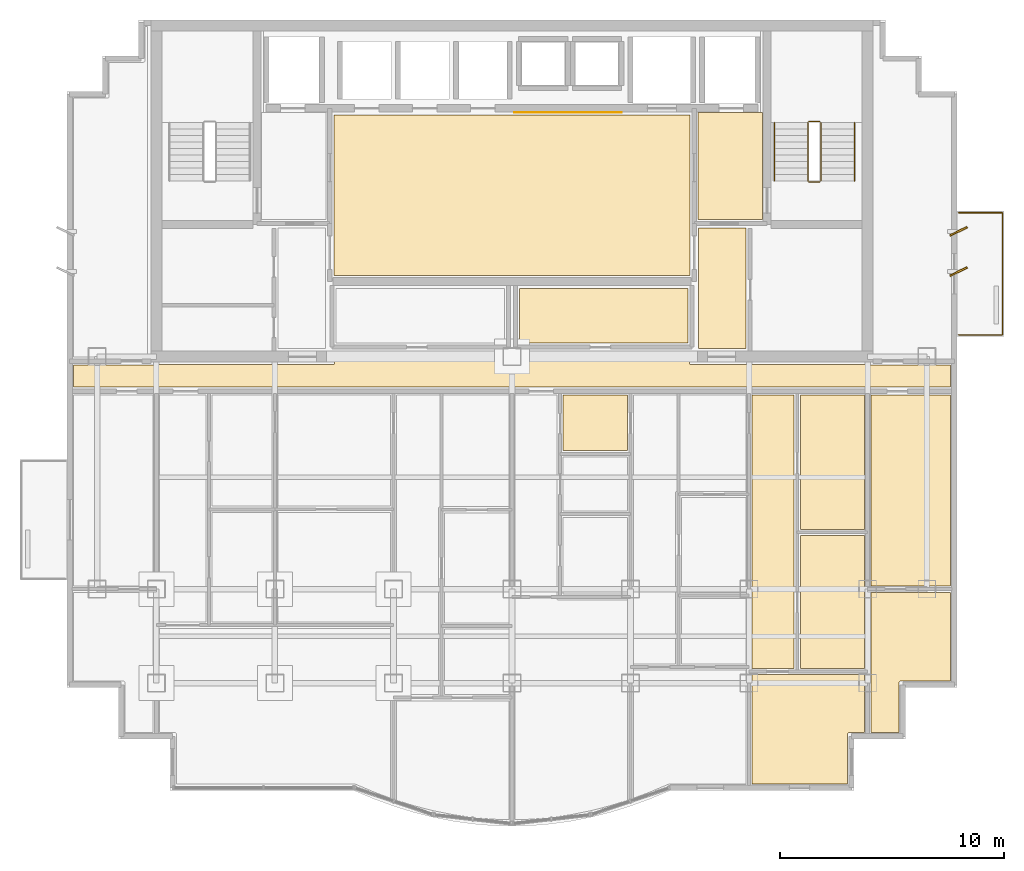
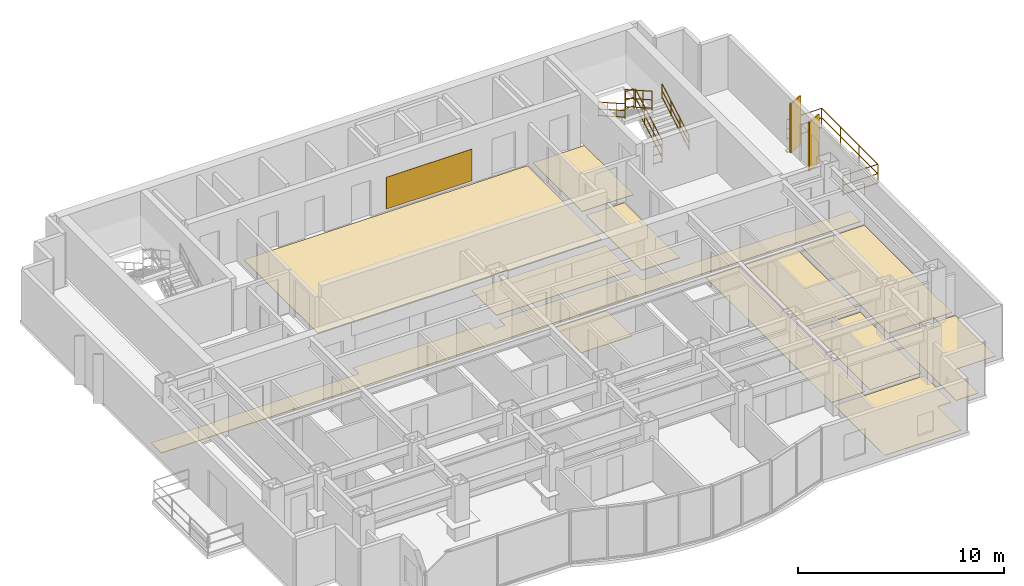
# One storey, part 9 of 9: 13 coverings, 7 railings, 2 shading devices.
"""IFC4 building model written with IfcOpenShell, lengths in metres."""

import ifcopenshell
import ifcopenshell.guid

model = None  # the IFC model being written
_history = None  # IfcOwnerHistory: only IFC2X3 demands one
_inside = {}  # id of a spatial element -> (the spatial element, [elements in it])
_under = {}  # id of a project, library or spatial element -> (it, [spatial elements below it])
_declared = {}  # id of a project -> (the project, [libraries it declares])
_typed = {}  # id of a type object -> (the type object, [elements of that type])
_made_of = {}  # id of a material, layer set ... -> (it, [elements and type objects made of it])


def new_model(schema):
    """Start an empty IFC model of exactly this schema.

    Asked for "IFC4X3", IfcOpenShell would pick the latest addendum, in which some entities
    have other attributes; the version numbers below select the first issue.
    IFC2X3 requires an IfcOwnerHistory on every rooted entity: one is made here for all.
    """
    global model, _history
    if schema == "IFC4X3":
        model = ifcopenshell.file(schema_version=(4, 3, 0, 0))
    else:
        model = ifcopenshell.file(schema=schema)
    _inside.clear()
    _under.clear()
    _declared.clear()
    _typed.clear()
    _made_of.clear()
    _history = None
    if model.schema == "IFC2X3":
        org = make("IfcOrganization", Name="unknown")
        user = make(
            "IfcPersonAndOrganization",
            ThePerson=make("IfcPerson", FamilyName="unknown"),
            TheOrganization=org,
        )
        app = make(
            "IfcApplication",
            ApplicationDeveloper=org,
            Version="unknown",
            ApplicationFullName="unknown",
            ApplicationIdentifier="unknown",
        )
        _history = make(
            "IfcOwnerHistory",
            OwningUser=user,
            OwningApplication=app,
            ChangeAction="ADDED",
            CreationDate=0,
        )
    return model


def make(cls, **values):
    """One entity of the class cls with the attributes given. An attribute that is None is left unset."""
    return model.create_entity(
        cls, **{name: value for name, value in values.items() if value is not None}
    )


def rooted(cls, **values):
    """An entity with a GlobalId (a new one), such as an element, a storey or a relation."""
    return make(cls, GlobalId=ifcopenshell.guid.new(), OwnerHistory=_history, **values)


def si_unit(unit_type, name, prefix=None):
    """IfcSIUnit, for example si_unit("LENGTHUNIT", "METRE", prefix="MILLI")."""
    return make("IfcSIUnit", UnitType=unit_type, Prefix=prefix, Name=name)


def assignment(units):
    """IfcUnitAssignment: the units of a project."""
    return None if units is None else make("IfcUnitAssignment", Units=units)


def point(xyz):
    """IfcCartesianPoint."""
    return None if xyz is None else make("IfcCartesianPoint", Coordinates=xyz)


def direction(xyz):
    """IfcDirection."""
    return None if xyz is None else make("IfcDirection", DirectionRatios=xyz)


def frame(location, z_axis=None, x_axis=None):
    """IfcAxis2Placement3D, a coordinate frame: its origin and axes. An axis left out is left unset."""
    return make(
        "IfcAxis2Placement3D",
        Location=point(location),
        Axis=direction(z_axis),
        RefDirection=direction(x_axis),
    )


def frame_2d(location, x_axis=None):
    """IfcAxis2Placement2D, a coordinate frame in the plane: its origin and x axis."""
    return make(
        "IfcAxis2Placement2D", Location=point(location), RefDirection=direction(x_axis)
    )


def origin():
    """The frame at (0, 0, 0) with its axes left unset."""
    return frame((0.0, 0.0, 0.0))


def origin_2d():
    """The frame at (0, 0) in the plane with its x axis left unset."""
    return frame_2d((0.0, 0.0))


def place(relative_to, where):
    """IfcLocalPlacement: puts the frame where relative to a parent placement (None: the world)."""
    return make(
        "IfcLocalPlacement", PlacementRelTo=relative_to, RelativePlacement=where
    )


def context(
    kind, dimensions, precision=None, world=None, true_north=None, identifier=None
):
    """IfcGeometricRepresentationContext, for example the 3D "Model" context."""
    return make(
        "IfcGeometricRepresentationContext",
        ContextIdentifier=identifier,
        ContextType=kind,
        CoordinateSpaceDimension=dimensions,
        Precision=precision,
        WorldCoordinateSystem=world,
        TrueNorth=true_north,
    )


def subcontext(parent, identifier, kind, view, scale=None):
    """IfcGeometricRepresentationSubContext, for example "Body" below "Model"."""
    return make(
        "IfcGeometricRepresentationSubContext",
        ContextIdentifier=identifier,
        ContextType=kind,
        ParentContext=parent,
        TargetScale=scale,
        TargetView=view,
    )


def project(units=None, contexts=None):
    """IfcProject with its units and contexts."""
    return rooted(
        "IfcProject",
        Name="project",
        RepresentationContexts=contexts,
        UnitsInContext=assignment(units),
    )


def spatial(cls, under=None, at=None, **own):
    """A site, building, storey or space (cls), placed at a placement, below another one or the project."""
    s = rooted(cls, ObjectPlacement=at, **own)
    if under is not None:
        _under.setdefault(under.id(), (under, []))[1].append(s)
    return s


def polyline(points):
    """IfcPolyline through the points."""
    return make("IfcPolyline", Points=[point(p) for p in points])


def profile(cls, at=None, kind="AREA", **sizes):
    """A parametric profile (cls). Its sizes go by their IFC names, for example OverallWidth=200.0."""
    return make(cls, ProfileType=kind, Position=at, **sizes)


def rectangle(**sizes):
    """IfcRectangleProfileDef."""
    return profile("IfcRectangleProfileDef", **sizes)


def circle(**sizes):
    """IfcCircleProfileDef."""
    return profile("IfcCircleProfileDef", **sizes)


def outline(outer, holes=None, kind="AREA"):
    """IfcArbitraryClosedProfileDef: a profile drawn as a closed curve; with holes, ...WithVoids."""
    if holes is None:
        return make("IfcArbitraryClosedProfileDef", ProfileType=kind, OuterCurve=outer)
    return make(
        "IfcArbitraryProfileDefWithVoids",
        ProfileType=kind,
        OuterCurve=outer,
        InnerCurves=holes,
    )


def extrude(swept, where, along, depth):
    """IfcExtrudedAreaSolid: the profile swept, set in the frame where, extruded along a direction by depth."""
    return make(
        "IfcExtrudedAreaSolid",
        SweptArea=swept,
        Position=where,
        ExtrudedDirection=direction(along),
        Depth=depth,
    )


def shape(context_of_items, identifier, shape_type, items):
    """IfcShapeRepresentation: the items that make up one representation, for example the "Body"."""
    return make(
        "IfcShapeRepresentation",
        ContextOfItems=context_of_items,
        RepresentationIdentifier=identifier,
        RepresentationType=shape_type,
        Items=items,
    )


def source(mapping_origin, context_of_items, identifier, shape_type, items):
    """IfcRepresentationMap: a shape defined once, which mapped items show again and again."""
    return make(
        "IfcRepresentationMap",
        MappingOrigin=mapping_origin,
        MappedRepresentation=shape(context_of_items, identifier, shape_type, items),
    )


def transform(
    local_origin,
    x_axis=None,
    y_axis=None,
    z_axis=None,
    scale=None,
    scale2=None,
    scale3=None,
    uniform=True,
):
    """IfcCartesianTransformationOperator3D, or its non-uniform kind. x_axis, y_axis, z_axis: its Axis1, 2, 3."""
    if uniform:
        return make(
            "IfcCartesianTransformationOperator3D",
            Axis1=direction(x_axis),
            Axis2=direction(y_axis),
            LocalOrigin=point(local_origin),
            Scale=scale,
            Axis3=direction(z_axis),
        )
    return make(
        "IfcCartesianTransformationOperator3DnonUniform",
        Axis1=direction(x_axis),
        Axis2=direction(y_axis),
        LocalOrigin=point(local_origin),
        Scale=scale,
        Axis3=direction(z_axis),
        Scale2=scale2,
        Scale3=scale3,
    )


def mapped(mapping_source, mapping_target):
    """IfcMappedItem: shows the shape of a source again, moved by a transform."""
    return make(
        "IfcMappedItem", MappingSource=mapping_source, MappingTarget=mapping_target
    )


def material(Name=None, Category=None):
    """IfcMaterial."""
    return make("IfcMaterial", Name=Name, Category=Category)


def layer(
    of_material, thickness, ventilated=None, Name=None, Category=None, Priority=None
):
    """IfcMaterialLayer: one layer of a wall or slab, of a material (None: an air gap)."""
    return make(
        "IfcMaterialLayer",
        Material=of_material,
        LayerThickness=thickness,
        IsVentilated=ventilated,
        Name=Name,
        Category=Category,
        Priority=Priority,
    )


def layer_set(layers, Name=None):
    """IfcMaterialLayerSet."""
    return make("IfcMaterialLayerSet", MaterialLayers=layers, LayerSetName=Name)


def made_of(thing, what):
    """Note that an element or type object is made of a material, layer set ...; save() writes the relation."""
    if what is not None:
        _made_of.setdefault(what.id(), (what, []))[1].append(thing)
    return thing


def type_object(cls, material=None, **own):
    """A type object (cls), such as IfcWallType, which elements share."""
    return made_of(rooted(cls, **own), material)


def element(
    cls,
    number,
    at=None,
    inside=None,
    cuts=None,
    type_object=None,
    material=None,
    context=None,
    identifier="Body",
    shape_type=None,
    held_by="IfcProductDefinitionShape",
    body=None,
    shapes=None,
    **own,
):
    """One element of the class cls, such as IfcWall. Its Tag is "e" and its number.

    at: its placement. inside: the storey or other place that contains it. cuts: it is an
    opening in that element (IfcRelVoidsElement). A single representation is given by context,
    identifier, shape_type and body (its items); several are given by shapes. held_by: the class
    of the entity that holds the representations. save() writes the other relations.
    """
    e = rooted(cls, Tag="e%d" % number, ObjectPlacement=at, **own)
    if body is not None:
        shapes = [shape(context, identifier, shape_type, body)]
    if shapes is not None:
        e.Representation = make(held_by, Representations=shapes)
    if inside is not None:
        _inside.setdefault(inside.id(), (inside, []))[1].append(e)
    if cuts is not None:
        rooted(
            "IfcRelVoidsElement", RelatingBuildingElement=cuts, RelatedOpeningElement=e
        )
    if type_object is not None:
        _typed.setdefault(type_object.id(), (type_object, []))[1].append(e)
    return made_of(e, material)


def aggregate(whole, parts):
    """IfcRelAggregates: a whole, such as a stair, and the parts it consists of."""
    return rooted("IfcRelAggregates", RelatingObject=whole, RelatedObjects=parts)


def save(model, path):
    """Write the relations noted so far, then the file.

    IfcRelAggregates (storeys below a building ...), IfcRelContainedInSpatialStructure (elements
    in a storey), IfcRelDefinesByType, IfcRelAssociatesMaterial and IfcRelDeclares: one each for
    every whole, place, type object, material and project.
    """
    for whole, parts in _under.values():
        aggregate(whole, parts)
    for where, things in _inside.values():
        rooted(
            "IfcRelContainedInSpatialStructure",
            RelatedElements=things,
            RelatingStructure=where,
        )
    for kind, things in _typed.values():
        rooted("IfcRelDefinesByType", RelatedObjects=things, RelatingType=kind)
    for what, things in _made_of.values():
        rooted("IfcRelAssociatesMaterial", RelatedObjects=things, RelatingMaterial=what)
    for by, libraries in _declared.values():
        rooted("IfcRelDeclares", RelatingContext=by, RelatedDefinitions=libraries)
    model.write(path)


model = new_model("IFC4")

# Units and contexts
model_context = context("Model", 3, precision=1e-05, world=origin(), true_north=direction((0.0, 1.0)))
body_context = subcontext(model_context, "Body", "Model", "MODEL_VIEW")
ifc_project = project(units=[si_unit("LENGTHUNIT", "METRE"), si_unit("AREAUNIT", "SQUARE_METRE"), si_unit("VOLUMEUNIT", "CUBIC_METRE"), si_unit("PLANEANGLEUNIT", "RADIAN"), si_unit("MASSUNIT", "GRAM", prefix="KILO")], contexts=[model_context])

# Site, building, storey
site_placement = place(None, origin())
site = spatial("IfcSite", under=ifc_project, at=site_placement, CompositionType="ELEMENT")
building_placement = place(site_placement, origin())
building = spatial("IfcBuilding", under=site, at=building_placement, Name="Qianlan Lanfeng Residences", CompositionType="ELEMENT")
storey_placement = place(building_placement, frame((0.0, 0.0, 213.199951171875)))
storey = spatial("IfcBuildingStorey", under=building, at=storey_placement, Name="L58", CompositionType="ELEMENT", Elevation=213.199951171875)

# Coverings
ifc_material_1 = material(Name="Anodised Bronze Feature Wall Cladding")
ifc_layer_1 = layer(ifc_material_1, 0.02490234375)
ifc_layer_set_1 = layer_set([ifc_layer_1], Name="Anodised Bronze Feature Wall Cladding")
covering_type_1 = type_object("IfcCoveringType", Name="CLD-BRZ-25", PredefinedType="CLADDING", material=ifc_layer_set_1)
covering_1_placement = place(storey_placement, frame((0.0, 0.0, 0.150146484375)))
element("IfcCovering", 1, at=covering_1_placement, inside=storey, type_object=covering_type_1, Name="L58 Lift Lobby Bronze Feature Cladding", PredefinedType="CLADDING", context=body_context, shape_type="SweptSolid", body=[
    extrude(outline(polyline([(26.60009765625, 36.10009765625), (31.39990234375, 36.10009765625), (31.39990234375, 36.125), (26.60009765625, 36.125), (26.60009765625, 36.10009765625)])), origin(), (0.0, 0.0, 1.0), 1.8798828125),
])
ifc_material_2 = material(Name="Honed Taitung Granite Stone Flooring", Category="masonry")
ifc_layer_2 = layer(ifc_material_2, 0.030029296875)
ifc_layer_set_2 = layer_set([ifc_layer_2], Name="Honed Taitung Granite Stone Flooring")
covering_type_2 = type_object("IfcCoveringType", Name="FLR-STN-30", PredefinedType="FLOORING", material=ifc_layer_set_2)
covering_2_placement = place(storey_placement, origin())
element("IfcCovering", 2, at=covering_2_placement, inside=storey, type_object=covering_type_2, Name="L58 Firefighting Lift Lobby Floor Finish", PredefinedType="FLOORING", context=body_context, shape_type="SweptSolid", body=[
    extrude(outline(polyline([(34.820068359375, 31.320068359375), (37.7099609375, 31.320068359375), (37.7099609375, 36.110107421875), (34.820068359375, 36.110107421875), (34.820068359375, 31.320068359375)])), origin(), (0.0, 0.0, 1.0), 0.030029296875),
])
covering_3_placement = place(storey_placement, origin())
element("IfcCovering", 3, at=covering_3_placement, inside=storey, type_object=covering_type_2, Name="L58 Lift Lobby Floor Finish", PredefinedType="FLOORING", context=body_context, shape_type="SweptSolid", body=[
    extrude(outline(polyline([(18.550048828125, 28.820068359375), (34.449951171875, 28.820068359375), (34.449951171875, 36.010009765625), (18.550048828125, 36.010009765625), (18.550048828125, 28.820068359375)])), origin(), (0.0, 0.0, 1.0), 0.030029296875),
])
covering_4_placement = place(storey_placement, origin())
element("IfcCovering", 4, at=covering_4_placement, inside=storey, type_object=covering_type_2, Name="L58 Residential Corridor Floor Finish", PredefinedType="FLOORING", context=body_context, shape_type="SweptSolid", body=[
    extrude(outline(polyline([(6.889892578125, 23.830078125), (46.110107421875, 23.830078125), (46.110107421875, 24.820068359375), (42.5400390625, 24.820068359375), (42.532958984375, 24.820068359375), (42.52587890625, 24.821044921875), (42.52001953125, 24.822998046875), (42.512939453125, 24.824951171875), (42.507080078125, 24.827880859375), (42.5009765625, 24.83203125), (42.49609375, 24.8359375), (42.490966796875, 24.841064453125), (42.486083984375, 24.845947265625), (42.48291015625, 24.85009765625), (34.5, 24.85009765625), (34.492919921875, 24.85009765625), (34.486083984375, 24.85107421875), (34.47998046875, 24.85302734375), (34.472900390625, 24.85498046875), (34.467041015625, 24.85791015625), (34.4609375, 24.862060546875), (34.4560546875, 24.865966796875), (34.450927734375, 24.87109375), (34.446044921875, 24.8759765625), (34.44189453125, 24.881103515625), (34.43798828125, 24.886962890625), (34.43505859375, 24.89306640625), (34.43310546875, 24.89990234375), (34.430908203125, 24.906005859375), (34.429931640625, 24.9130859375), (34.429931640625, 24.919921875), (34.429931640625, 25.429931640625), (26.77001953125, 25.429931640625), (26.77001953125, 24.919921875), (26.77001953125, 24.9130859375), (26.76904296875, 24.906005859375), (26.76708984375, 24.89990234375), (26.764892578125, 24.89306640625), (26.761962890625, 24.886962890625), (26.758056640625, 24.881103515625), (26.75390625, 24.8759765625), (26.7490234375, 24.87109375), (26.743896484375, 24.865966796875), (26.739013671875, 24.862060546875), (26.73291015625, 24.85791015625), (26.72705078125, 24.85498046875), (26.719970703125, 24.85302734375), (26.714111328125, 24.85107421875), (26.70703125, 24.85009765625), (26.699951171875, 24.85009765625), (26.300048828125, 24.85009765625), (26.29296875, 24.85009765625), (26.285888671875, 24.85107421875), (26.280029296875, 24.85302734375), (26.27294921875, 24.85498046875), (26.26708984375, 24.85791015625), (26.260986328125, 24.862060546875), (26.256103515625, 24.865966796875), (26.2509765625, 24.87109375), (26.24609375, 24.8759765625), (26.241943359375, 24.881103515625), (26.238037109375, 24.886962890625), (26.235107421875, 24.89306640625), (26.23291015625, 24.89990234375), (26.23095703125, 24.906005859375), (26.22998046875, 24.9130859375), (26.22998046875, 24.919921875), (26.22998046875, 25.429931640625), (18.570068359375, 25.429931640625), (18.570068359375, 24.919921875), (18.570068359375, 24.9130859375), (18.569091796875, 24.906005859375), (18.56689453125, 24.89990234375), (18.56494140625, 24.89306640625), (18.56201171875, 24.886962890625), (18.55810546875, 24.881103515625), (18.553955078125, 24.8759765625), (18.549072265625, 24.87109375), (18.5439453125, 24.865966796875), (18.5390625, 24.862060546875), (18.532958984375, 24.85791015625), (18.527099609375, 24.85498046875), (18.52001953125, 24.85302734375), (18.513916015625, 24.85107421875), (18.507080078125, 24.85009765625), (18.5, 24.85009765625), (10.51708984375, 24.85009765625), (10.513916015625, 24.845947265625), (10.509033203125, 24.841064453125), (10.50390625, 24.8359375), (10.4990234375, 24.83203125), (10.492919921875, 24.827880859375), (10.487060546875, 24.824951171875), (10.47998046875, 24.822998046875), (10.47412109375, 24.821044921875), (10.467041015625, 24.820068359375), (10.4599609375, 24.820068359375), (6.889892578125, 24.820068359375), (6.889892578125, 23.830078125)])), origin(), (0.0, 0.0, 1.0), 0.030029296875),
])
covering_5_placement = place(storey_placement, origin())
element("IfcCovering", 5, at=covering_5_placement, inside=storey, type_object=covering_type_2, Name="L58 Lift Lobby Floor Finish", PredefinedType="FLOORING", context=body_context, shape_type="SweptSolid", body=[
    extrude(outline(polyline([(34.830078125, 25.56005859375), (36.969970703125, 25.56005859375), (36.969970703125, 30.949951171875), (34.830078125, 30.949951171875), (34.830078125, 25.56005859375)])), origin(), (0.0, 0.0, 1.0), 0.030029296875),
])
ifc_material_3 = material(Name="Slip-Resistant Porcelain Tile Flooring")
ifc_layer_3 = layer(ifc_material_3, 0.02001953125)
ifc_layer_set_3 = layer_set([ifc_layer_3], Name="Slip-Resistant Porcelain Tile Flooring")
covering_type_3 = type_object("IfcCoveringType", Name="FLR-TIL-20", PredefinedType="FLOORING", material=ifc_layer_set_3)
covering_6_placement = place(storey_placement, origin())
element("IfcCovering", 6, at=covering_6_placement, inside=storey, type_object=covering_type_3, Name="L58 Bathroom Floor Finish", PredefinedType="FLOORING", context=body_context, shape_type="SweptSolid", body=[
    extrude(outline(polyline([(28.7900390625, 20.989990234375), (31.659912109375, 20.989990234375), (31.659912109375, 23.47998046875), (28.7900390625, 23.47998046875), (28.7900390625, 20.989990234375)])), origin(), (0.0, 0.0, 1.0), 0.02001953125),
])
ifc_material_4 = material(Name="Engineered Smoked Oak Timber Flooring", Category="wood")
ifc_layer_4 = layer(ifc_material_4, 0.02197265625)
ifc_layer_set_4 = layer_set([ifc_layer_4], Name="Engineered Smoked Oak Timber Flooring")
covering_type_4 = type_object("IfcCoveringType", Name="FLR-TIM-22", PredefinedType="FLOORING", material=ifc_layer_set_4)
covering_7_placement = place(storey_placement, origin())
element("IfcCovering", 7, at=covering_7_placement, inside=storey, type_object=covering_type_4, Name="L58 Tea Room Floor Finish", PredefinedType="FLOORING", context=body_context, shape_type="SweptSolid", body=[
    extrude(outline(polyline([(26.830078125, 25.800048828125), (34.3701171875, 25.800048828125), (34.3701171875, 28.2548828125), (26.830078125, 28.2548828125), (26.830078125, 25.800048828125)])), origin(), (0.0, 0.0, 1.0), 0.02197265625),
])
covering_8_placement = place(storey_placement, origin())
element("IfcCovering", 8, at=covering_8_placement, inside=storey, type_object=covering_type_4, Name="L58 Bedroom Floor Finish", PredefinedType="FLOORING", context=body_context, shape_type="SweptSolid", body=[
    extrude(outline(polyline([(37.22998046875, 10.97998046875), (37.22998046875, 6.090087890625), (41.510009765625, 6.090087890625), (41.510009765625, 8.320068359375), (41.510009765625, 8.326904296875), (41.510986328125, 8.333984375), (41.512939453125, 8.340087890625), (41.514892578125, 8.346923828125), (41.51806640625, 8.35302734375), (41.52197265625, 8.35888671875), (41.52587890625, 8.364013671875), (41.531005859375, 8.368896484375), (41.535888671875, 8.3740234375), (41.541015625, 8.3779296875), (41.547119140625, 8.382080078125), (41.552978515625, 8.385009765625), (41.56005859375, 8.386962890625), (41.56591796875, 8.388916015625), (41.572998046875, 8.389892578125), (41.580078125, 8.389892578125), (42.27001953125, 8.389892578125), (42.27001953125, 10.97998046875), (37.22998046875, 10.97998046875)])), origin(), (0.0, 0.0, 1.0), 0.02197265625),
])
covering_9_placement = place(storey_placement, origin())
element("IfcCovering", 9, at=covering_9_placement, inside=storey, type_object=covering_type_4, Name="L58 Private Study Floor Finish", PredefinedType="FLOORING", context=body_context, shape_type="SweptSolid", body=[
    extrude(outline(polyline([(39.389892578125, 11.260009765625), (42.27001953125, 11.260009765625), (42.27001953125, 17.195068359375), (39.389892578125, 17.195068359375), (39.389892578125, 11.260009765625)])), origin(), (0.0, 0.0, 1.0), 0.02197265625),
])
covering_10_placement = place(storey_placement, origin())
element("IfcCovering", 10, at=covering_10_placement, inside=storey, type_object=covering_type_4, Name="L58 Yoga Studio Floor Finish", PredefinedType="FLOORING", context=body_context, shape_type="SweptSolid", body=[
    extrude(outline(polyline([(39.389892578125, 17.47509765625), (42.27001953125, 17.47509765625), (42.27001953125, 23.47998046875), (39.389892578125, 23.47998046875), (39.389892578125, 17.47509765625)])), origin(), (0.0, 0.0, 1.0), 0.02197265625),
])
covering_11_placement = place(storey_placement, origin())
element("IfcCovering", 11, at=covering_11_placement, inside=storey, type_object=covering_type_4, Name="L58 Home Office Floor Finish", PredefinedType="FLOORING", context=body_context, shape_type="SweptSolid", body=[
    extrude(outline(polyline([(37.22998046875, 11.260009765625), (39.110107421875, 11.260009765625), (39.110107421875, 23.47998046875), (37.22998046875, 23.47998046875), (37.22998046875, 11.260009765625)])), origin(), (0.0, 0.0, 1.0), 0.02197265625),
])
covering_12_placement = place(storey_placement, origin())
element("IfcCovering", 12, at=covering_12_placement, inside=storey, type_object=covering_type_4, Name="L58 Sunroom Floor Finish", PredefinedType="FLOORING", context=body_context, shape_type="SweptSolid", body=[
    extrude(outline(polyline([(46.110107421875, 14.64990234375), (42.56005859375, 14.64990234375), (42.56005859375, 8.389892578125), (43.81005859375, 8.389892578125), (43.81005859375, 10.6201171875), (43.81005859375, 10.626953125), (43.81103515625, 10.634033203125), (43.81298828125, 10.639892578125), (43.81494140625, 10.64697265625), (43.818115234375, 10.653076171875), (43.822021484375, 10.658935546875), (43.825927734375, 10.6640625), (43.8310546875, 10.6689453125), (43.8359375, 10.674072265625), (43.841064453125, 10.677978515625), (43.846923828125, 10.681884765625), (43.85302734375, 10.68505859375), (43.860107421875, 10.68701171875), (43.865966796875, 10.68896484375), (43.873046875, 10.68994140625), (43.8798828125, 10.68994140625), (46.110107421875, 10.68994140625), (46.110107421875, 14.64990234375)])), origin(), (0.0, 0.0, 1.0), 0.02197265625),
])
covering_13_placement = place(storey_placement, origin())
element("IfcCovering", 13, at=covering_13_placement, inside=storey, type_object=covering_type_4, Name="L58 Private Study Floor Finish", PredefinedType="FLOORING", context=body_context, shape_type="SweptSolid", body=[
    extrude(outline(polyline([(46.110107421875, 23.47998046875), (42.56005859375, 23.47998046875), (42.56005859375, 14.949951171875), (46.110107421875, 14.949951171875), (46.110107421875, 23.47998046875)])), origin(), (0.0, 0.0, 1.0), 0.02197265625),
])

# Railings
ifc_material_5 = material(Name="Anodised Bronze Aluminium and Laminated Glass Guard Balustrade", Category="aluminium")
railing_type_1 = type_object("IfcRailingType", Name="GR-EXT-1220", PredefinedType="BALUSTRADE", material=ifc_material_5)
railing_1_placement = place(storey_placement, frame((46.469970703125, 31.6298828125, 0.0)))
element("IfcRailing", 14, at=railing_1_placement, inside=storey, type_object=railing_type_1, Name="L58 Terrace Safety Guard GR-L58-EB-N", PredefinedType="BALUSTRADE", context=body_context, shape_type="SweptSolid", body=[
    extrude(circle(Radius=0.02490234375, at=origin_2d()), frame((0.0, 0.0, 0.0849609375), z_axis=(1.0, 0.0, 0.0), x_axis=(0.0, 1.0, 0.0)), (0.0, 0.0, 1.0), 1.9599609375),
    extrude(circle(Radius=0.02490234375, at=origin_2d()), frame((0.0, 0.0, 0.63427734375), z_axis=(1.0, 0.0, 0.0), x_axis=(0.0, 1.0, 0.0)), (0.0, 0.0, 1.0), 1.9599609375),
    extrude(circle(Radius=0.02490234375, at=origin_2d()), frame((0.0, 0.0, 1.19482421875), z_axis=(1.0, 0.0, 0.0), x_axis=(0.0, 1.0, 0.0)), (0.0, 0.0, 1.0), 1.9599609375),
    extrude(circle(Radius=0.02490234375, at=origin_2d()), frame((1.9599609375, 0.0, 0.0849609375), z_axis=(0.0, -1.0, 0.0), x_axis=(1.0, 0.0, 0.0)), (0.0, 0.0, 1.0), 5.4599609375),
    extrude(circle(Radius=0.02490234375, at=origin_2d()), frame((1.9599609375, 0.0, 0.63427734375), z_axis=(0.0, -1.0, 0.0), x_axis=(1.0, 0.0, 0.0)), (0.0, 0.0, 1.0), 5.4599609375),
    extrude(circle(Radius=0.02490234375, at=origin_2d()), frame((1.9599609375, 0.0, 1.19482421875), z_axis=(0.0, -1.0, 0.0), x_axis=(1.0, 0.0, 0.0)), (0.0, 0.0, 1.0), 5.4599609375),
    extrude(circle(Radius=0.02490234375, at=origin_2d()), frame((1.9599609375, -5.4599609375, 0.0849609375), z_axis=(-1.0, 0.0, 0.0), x_axis=(0.0, -1.0, 0.0)), (0.0, 0.0, 1.0), 1.9599609375),
    extrude(circle(Radius=0.02490234375, at=origin_2d()), frame((1.9599609375, -5.4599609375, 0.63427734375), z_axis=(-1.0, 0.0, 0.0), x_axis=(0.0, -1.0, 0.0)), (0.0, 0.0, 1.0), 1.9599609375),
    extrude(circle(Radius=0.02490234375, at=origin_2d()), frame((1.9599609375, -5.4599609375, 1.19482421875), z_axis=(-1.0, 0.0, 0.0), x_axis=(0.0, -1.0, 0.0)), (0.0, 0.0, 1.0), 1.9599609375),
    extrude(circle(Radius=0.02099609375, at=origin_2d()), origin(), (0.0, 0.0, 1.0), 1.169921875),
    extrude(circle(Radius=0.02099609375, at=origin_2d()), frame((1.9599609375, 0.0, 0.0)), (0.0, 0.0, 1.0), 1.169921875),
    extrude(circle(Radius=0.02099609375, at=origin_2d()), frame((1.9599609375, -1.820068359375, 0.0)), (0.0, 0.0, 1.0), 1.169921875),
    extrude(circle(Radius=0.02099609375, at=origin_2d()), frame((1.9599609375, -3.639892578125, 0.0)), (0.0, 0.0, 1.0), 1.169921875),
    extrude(circle(Radius=0.02099609375, at=origin_2d()), frame((1.9599609375, -5.4599609375, 0.0)), (0.0, 0.0, 1.0), 1.169921875),
    extrude(circle(Radius=0.02099609375, at=origin_2d()), frame((0.0, -5.4599609375, 0.0)), (0.0, 0.0, 1.0), 1.169921875),
])
ifc_material_6 = material(Name="Painted Galvanised Steel Guardrail", Category="steel")
railing_type_2 = type_object("IfcRailingType", Name="GR-ST-1120", PredefinedType="GUARDRAIL", material=ifc_material_6)
railing_2_placement = place(storey_placement, frame((40.31005859375, 33.050048828125, 0.1650390625)))
element("IfcRailing", 15, at=railing_2_placement, inside=storey, type_object=railing_type_2, Name="L58 ST-2 stair guard 1", PredefinedType="GUARDRAIL", context=body_context, shape_type="SweptSolid", body=[
    extrude(circle(Radius=0.02392578125, at=origin_2d()), frame((0.0, 0.0, 0.083984375), z_axis=(0.0, 0.869137319866, 0.494570843475), x_axis=(-1.0, 0.0, 0.0)), (0.0, 0.0, 1.0), 3.0029296875),
    extrude(circle(Radius=0.02392578125, at=origin_2d()), frame((0.0, 0.0, 0.58251953125), z_axis=(0.0, 0.869137319866, 0.494570843475), x_axis=(-1.0, 0.0, 0.0)), (0.0, 0.0, 1.0), 3.0029296875),
    extrude(circle(Radius=0.02392578125, at=origin_2d()), frame((0.0, 0.0, 1.09619140625), z_axis=(0.0, 0.869137319866, 0.494570843475), x_axis=(-1.0, 0.0, 0.0)), (0.0, 0.0, 1.0), 3.0029296875),
    extrude(circle(Radius=0.02099609375, at=origin_2d()), origin(), (0.0, 0.0, 1.0), 1.072021484375),
    extrude(circle(Radius=0.02099609375, at=origin_2d()), frame((0.0, 0.869873046875, 0.4951171875)), (0.0, 0.0, 1.0), 1.072021484375),
    extrude(circle(Radius=0.02099609375, at=origin_2d()), frame((0.0, 1.739990234375, 0.989990234375)), (0.0, 0.0, 1.0), 1.072021484375),
    extrude(circle(Radius=0.02099609375, at=origin_2d()), frame((0.0, 2.60986328125, 1.485107421875)), (0.0, 0.0, 1.0), 1.072021484375),
])
railing_3_placement = place(storey_placement, frame((40.260009765625, 35.7099609375, 1.650146484375)))
element("IfcRailing", 16, at=railing_3_placement, inside=storey, type_object=railing_type_2, Name="L58 ST-2 stair guard 2", PredefinedType="GUARDRAIL", context=body_context, shape_type="SweptSolid", body=[
    extrude(circle(Radius=0.02392578125, at=origin_2d()), frame((0.0, 0.0, 0.083984375), z_axis=(-1.0, 0.0, 0.0), x_axis=(0.0, -1.0, 0.0)), (0.0, 0.0, 1.0), 0.47998046875),
    extrude(circle(Radius=0.02392578125, at=origin_2d()), frame((0.0, 0.0, 0.58251953125), z_axis=(-1.0, 0.0, 0.0), x_axis=(0.0, -1.0, 0.0)), (0.0, 0.0, 1.0), 0.47998046875),
    extrude(circle(Radius=0.02392578125, at=origin_2d()), frame((0.0, 0.0, 1.09619140625), z_axis=(-1.0, 0.0, 0.0), x_axis=(0.0, -1.0, 0.0)), (0.0, 0.0, 1.0), 0.47998046875),
    extrude(circle(Radius=0.02099609375, at=origin_2d()), origin(), (0.0, 0.0, 1.0), 1.072021484375),
    extrude(circle(Radius=0.02099609375, at=origin_2d()), frame((-0.47998046875, 0.0, 0.0)), (0.0, 0.0, 1.0), 1.072021484375),
])
railing_4_placement = place(storey_placement, frame((39.72998046875, 35.659912109375, 1.81494140625)))
element("IfcRailing", 17, at=railing_4_placement, inside=storey, type_object=railing_type_2, Name="L58 ST-2 stair guard 3", PredefinedType="GUARDRAIL", context=body_context, shape_type="SweptSolid", body=[
    extrude(circle(Radius=0.02392578125, at=origin_2d()), frame((0.0, 0.0, 0.083984375), z_axis=(0.0, -0.869137319866, 0.494570843475), x_axis=(1.0, 0.0, 0.0)), (0.0, 0.0, 1.0), 3.0029296875),
    extrude(circle(Radius=0.02392578125, at=origin_2d()), frame((0.0, 0.0, 0.58251953125), z_axis=(0.0, -0.869137319866, 0.494570843475), x_axis=(1.0, 0.0, 0.0)), (0.0, 0.0, 1.0), 3.0029296875),
    extrude(circle(Radius=0.02392578125, at=origin_2d()), frame((0.0, 0.0, 1.09619140625), z_axis=(0.0, -0.869137319866, 0.494570843475), x_axis=(1.0, 0.0, 0.0)), (0.0, 0.0, 1.0), 3.0029296875),
    extrude(circle(Radius=0.02099609375, at=origin_2d()), origin(), (0.0, 0.0, 1.0), 1.072021484375),
    extrude(circle(Radius=0.02099609375, at=origin_2d()), frame((0.0, -0.869873046875, 0.4951171875)), (0.0, 0.0, 1.0), 1.072021484375),
    extrude(circle(Radius=0.02099609375, at=origin_2d()), frame((0.0, -1.739990234375, 0.989990234375)), (0.0, 0.0, 1.0), 1.072021484375),
    extrude(circle(Radius=0.02099609375, at=origin_2d()), frame((0.0, -2.60986328125, 1.485107421875)), (0.0, 0.0, 1.0), 1.072021484375),
])
railing_5_placement = place(storey_placement, frame((40.260009765625, 33.0, 0.0)))
element("IfcRailing", 18, at=railing_5_placement, inside=storey, type_object=railing_type_2, Name="L58 ST-2 stair guard 4", PredefinedType="GUARDRAIL", context=body_context, shape_type="SweptSolid", body=[
    extrude(circle(Radius=0.02392578125, at=origin_2d()), frame((0.0, 0.0, 0.083984375), z_axis=(-1.0, 0.0, 0.0), x_axis=(0.0, -1.0, 0.0)), (0.0, 0.0, 1.0), 0.47998046875),
    extrude(circle(Radius=0.02392578125, at=origin_2d()), frame((0.0, 0.0, 0.58251953125), z_axis=(-1.0, 0.0, 0.0), x_axis=(0.0, -1.0, 0.0)), (0.0, 0.0, 1.0), 0.47998046875),
    extrude(circle(Radius=0.02392578125, at=origin_2d()), frame((0.0, 0.0, 1.09619140625), z_axis=(-1.0, 0.0, 0.0), x_axis=(0.0, -1.0, 0.0)), (0.0, 0.0, 1.0), 0.47998046875),
    extrude(circle(Radius=0.02099609375, at=origin_2d()), origin(), (0.0, 0.0, 1.0), 1.072021484375),
    extrude(circle(Radius=0.02099609375, at=origin_2d()), frame((-0.47998046875, 0.0, 0.0)), (0.0, 0.0, 1.0), 1.072021484375),
])
ifc_material_7 = material(Name="Brushed Stainless Steel Handrail", Category="steel")
railing_type_3 = type_object("IfcRailingType", Name="HR-ST-920", PredefinedType="HANDRAIL", material=ifc_material_7)
railing_6_placement = place(storey_placement, frame((41.81005859375, 33.050048828125, 0.1650390625)))
element("IfcRailing", 19, at=railing_6_placement, inside=storey, type_object=railing_type_3, Name="L58 ST-2 stair handrail 1", PredefinedType="HANDRAIL", context=body_context, shape_type="SweptSolid", body=[
    extrude(circle(Radius=0.02392578125, at=origin_2d()), frame((0.0, 0.0, 0.083984375), z_axis=(0.0, 0.869137319866, 0.494570843475), x_axis=(-1.0, 0.0, 0.0)), (0.0, 0.0, 1.0), 3.0029296875),
    extrude(circle(Radius=0.02392578125, at=origin_2d()), frame((0.0, 0.0, 0.468017578125), z_axis=(0.0, 0.869137319866, 0.494570843475), x_axis=(-1.0, 0.0, 0.0)), (0.0, 0.0, 1.0), 3.0029296875),
    extrude(circle(Radius=0.02392578125, at=origin_2d()), frame((0.0, 0.0, 0.8759765625), z_axis=(0.0, 0.869137319866, 0.494570843475), x_axis=(-1.0, 0.0, 0.0)), (0.0, 0.0, 1.0), 3.0029296875),
    extrude(circle(Radius=0.02099609375, at=origin_2d()), origin(), (0.0, 0.0, 1.0), 0.851806640625),
    extrude(circle(Radius=0.02099609375, at=origin_2d()), frame((0.0, 0.869873046875, 0.4951171875)), (0.0, 0.0, 1.0), 0.851806640625),
    extrude(circle(Radius=0.02099609375, at=origin_2d()), frame((0.0, 1.739990234375, 0.989990234375)), (0.0, 0.0, 1.0), 0.851806640625),
    extrude(circle(Radius=0.02099609375, at=origin_2d()), frame((0.0, 2.60986328125, 1.485107421875)), (0.0, 0.0, 1.0), 0.851806640625),
])
railing_7_placement = place(storey_placement, frame((38.22998046875, 35.659912109375, 1.81494140625)))
element("IfcRailing", 20, at=railing_7_placement, inside=storey, type_object=railing_type_3, Name="L58 ST-2 stair handrail 2", PredefinedType="HANDRAIL", context=body_context, shape_type="SweptSolid", body=[
    extrude(circle(Radius=0.02392578125, at=origin_2d()), frame((0.0, 0.0, 0.083984375), z_axis=(0.0, -0.869137319866, 0.494570843475), x_axis=(1.0, 0.0, 0.0)), (0.0, 0.0, 1.0), 3.0029296875),
    extrude(circle(Radius=0.02392578125, at=origin_2d()), frame((0.0, 0.0, 0.468017578125), z_axis=(0.0, -0.869137319866, 0.494570843475), x_axis=(1.0, 0.0, 0.0)), (0.0, 0.0, 1.0), 3.0029296875),
    extrude(circle(Radius=0.02392578125, at=origin_2d()), frame((0.0, 0.0, 0.8759765625), z_axis=(0.0, -0.869137319866, 0.494570843475), x_axis=(1.0, 0.0, 0.0)), (0.0, 0.0, 1.0), 3.0029296875),
    extrude(circle(Radius=0.02099609375, at=origin_2d()), origin(), (0.0, 0.0, 1.0), 0.851806640625),
    extrude(circle(Radius=0.02099609375, at=origin_2d()), frame((0.0, -0.869873046875, 0.4951171875)), (0.0, 0.0, 1.0), 0.851806640625),
    extrude(circle(Radius=0.02099609375, at=origin_2d()), frame((0.0, -1.739990234375, 0.989990234375)), (0.0, 0.0, 1.0), 0.851806640625),
    extrude(circle(Radius=0.02099609375, at=origin_2d()), frame((0.0, -2.60986328125, 1.485107421875)), (0.0, 0.0, 1.0), 0.851806640625),
])

# Shading devices
ifc_material_8 = material(Name="Anodised Bronze Aluminium Solar Fin", Category="aluminium")
shading_device_type = type_object("IfcShadingDeviceType", Name="FIN-BRZ-850", PredefinedType="SHUTTER", material=ifc_material_8)
shared_shape = source(origin(), body_context, "Body", "SweptSolid", [
    extrude(rectangle(XDim=0.85009765625, YDim=0.080078125, at=origin_2d()), origin(), (0.0, 0.0, 1.0), 2.89990234375),
])
for number, where, z_axis, x_axis, name in (
    (21, (46.469970703125, 29.0, 0.0), (0.0, 0.0, 1.0), (0.898794046299, 0.438371146789, 0.0), "L58 Raked Bronze Solar Fin E1"),
    (22, (46.469970703125, 30.800048828125, 0.0), (0.0, 0.0, 1.0), (0.898794046299, 0.438371146789, 0.0), "L58 Raked Bronze Solar Fin E2"),
):
    element("IfcShadingDevice", number, at=place(storey_placement, frame(where, z_axis=z_axis, x_axis=x_axis)), inside=storey, type_object=shading_device_type, Name=name, PredefinedType="SHUTTER", context=body_context, shape_type="MappedRepresentation", body=[
        mapped(shared_shape, transform((0.0, 0.0, 0.0), scale=1.0)),
    ])

save(model, "model.ifc")
